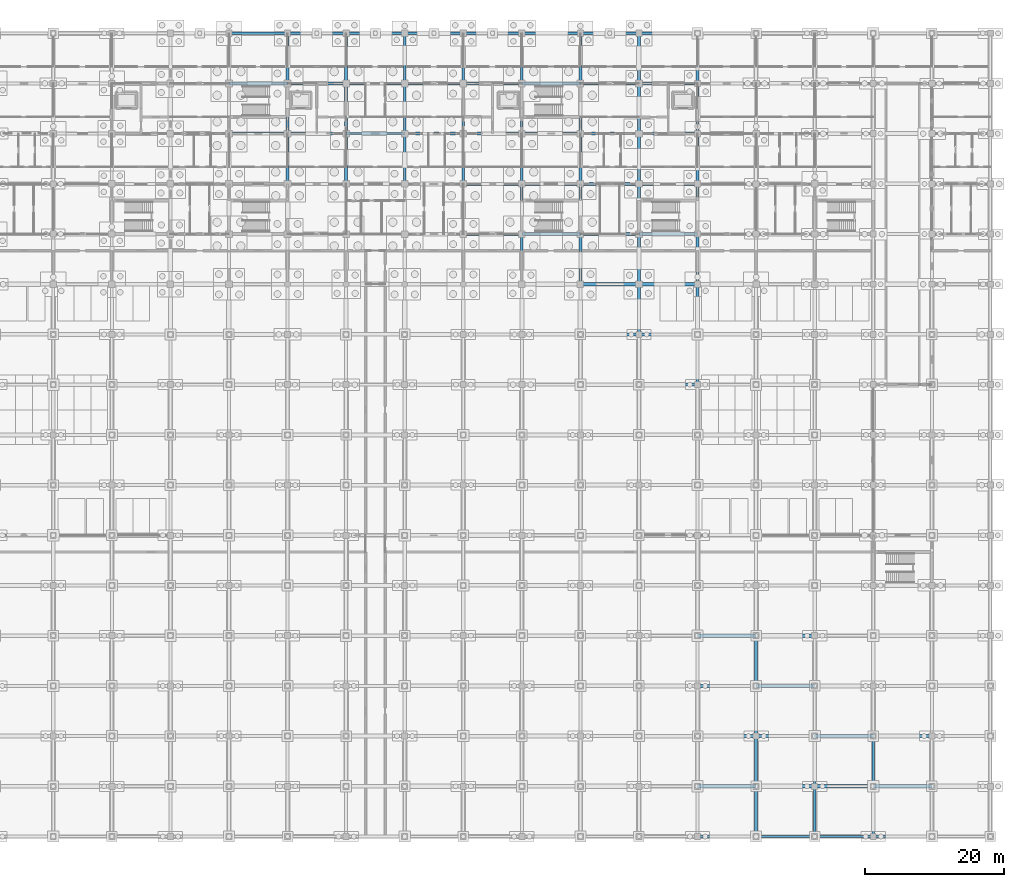
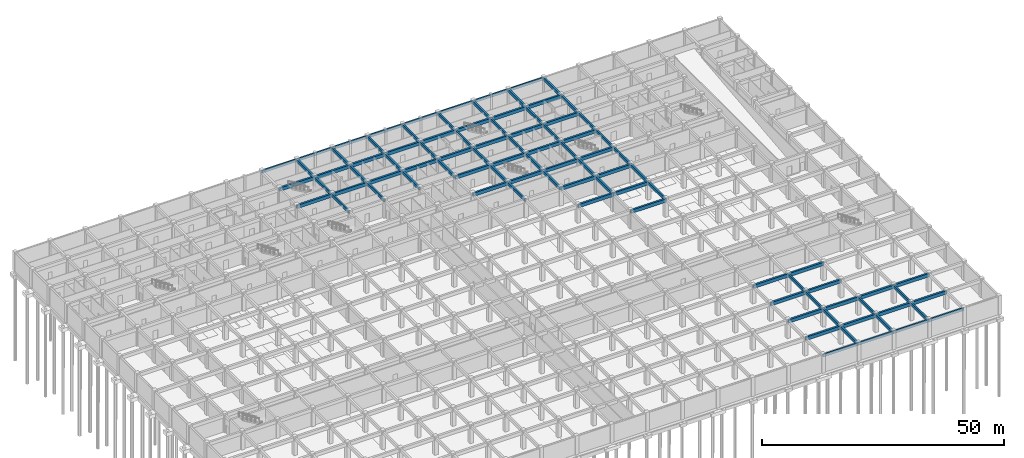
# One storey, part 23 of 85: 96 beams.
"""IFC4 building model written with IfcOpenShell, lengths in metres."""

from ifc_helpers import new_model, si_unit, direction, frame, origin, origin_2d, place, context, subcontext, project, spatial, rectangle, extrude, material, material_profile, profile_set, type_object, element, save


model = new_model("IFC4")

# Units and contexts
model_context = context("Model", 3, precision=1e-05, world=origin(), true_north=direction((0.0, 1.0)))
body_context = subcontext(model_context, "Body", "Model", "MODEL_VIEW")
ifc_project = project(units=[si_unit("LENGTHUNIT", "METRE"), si_unit("AREAUNIT", "SQUARE_METRE"), si_unit("VOLUMEUNIT", "CUBIC_METRE"), si_unit("PLANEANGLEUNIT", "RADIAN"), si_unit("MASSUNIT", "GRAM", prefix="KILO")], contexts=[model_context])

# Site, building, storey
site_placement = place(None, origin())
site = spatial("IfcSite", under=ifc_project, at=site_placement, CompositionType="ELEMENT")
building_placement = place(site_placement, origin())
building = spatial("IfcBuilding", under=site, at=building_placement, Name="Chengyuan Square Courthouse", CompositionType="ELEMENT")
storey_placement = place(building_placement, frame((0.0, 0.0, -10.199951171875)))
storey = spatial("IfcBuildingStorey", under=building, at=storey_placement, Name="B02", CompositionType="ELEMENT", Elevation=-10.199951171875)

# Beams
ifc_material = material(Name="Concrete C40", Category="concrete")
ifc_material_profile_1 = material_profile(ifc_material, rectangle(XDim=0.449951171875, YDim=0.85009765625, at=origin_2d()), Name="RC-BM-450x850")
ifc_profile_set_1 = profile_set([ifc_material_profile_1], Name="Concrete C40")
beam_type_1 = type_object("IfcBeamType", Name="BM-01", PredefinedType="USERDEFINED", material=ifc_profile_set_1)
beam_1_placement = place(storey_placement, frame((126.0, 7.199951171875, 4.054931640625), z_axis=(1.0, 0.0, 0.0), x_axis=(0.0, 1.0, 0.0)))
element("IfcBeam", 1, at=beam_1_placement, inside=storey, type_object=beam_type_1, Name="Girder BM-B02-0036", ObjectType="GIRDER", PredefinedType="USERDEFINED", context=body_context, shape_type="SweptSolid", body=[
    extrude(rectangle(XDim=0.449951171875, YDim=0.85009765625, at=origin_2d()), origin(), (0.0, 0.0, 1.0), 8.39990234375),
])
beam_2_placement = place(storey_placement, frame((134.39990234375, 7.199951171875, 4.054931640625), z_axis=(1.0, 0.0, 0.0), x_axis=(0.0, 1.0, 0.0)))
element("IfcBeam", 2, at=beam_2_placement, inside=storey, type_object=beam_type_1, Name="Girder BM-B02-0037", ObjectType="GIRDER", PredefinedType="USERDEFINED", context=body_context, shape_type="SweptSolid", body=[
    extrude(rectangle(XDim=0.449951171875, YDim=0.85009765625, at=origin_2d()), origin(), (0.0, 0.0, 1.0), 8.400146484375),
])
beam_3_placement = place(storey_placement, frame((142.800048828125, 7.199951171875, 4.054931640625), z_axis=(1.0, 0.0, 0.0), x_axis=(0.0, 1.0, 0.0)))
element("IfcBeam", 3, at=beam_3_placement, inside=storey, type_object=beam_type_1, Name="Girder BM-B02-0038", ObjectType="GIRDER", PredefinedType="USERDEFINED", context=body_context, shape_type="SweptSolid", body=[
    extrude(rectangle(XDim=0.449951171875, YDim=0.85009765625, at=origin_2d()), origin(), (0.0, 0.0, 1.0), 8.39990234375),
])
beam_4_placement = place(storey_placement, frame((151.199951171875, 7.199951171875, 4.054931640625), z_axis=(1.0, 0.0, 0.0), x_axis=(0.0, 1.0, 0.0)))
element("IfcBeam", 4, at=beam_4_placement, inside=storey, type_object=beam_type_1, Name="Girder BM-B02-0039", ObjectType="GIRDER", PredefinedType="USERDEFINED", context=body_context, shape_type="SweptSolid", body=[
    extrude(rectangle(XDim=0.449951171875, YDim=0.85009765625, at=origin_2d()), origin(), (0.0, 0.0, 1.0), 8.400146484375),
])
beam_5_placement = place(storey_placement, frame((126.0, 14.39990234375, 4.054931640625), z_axis=(1.0, 0.0, 0.0), x_axis=(0.0, 1.0, 0.0)))
element("IfcBeam", 5, at=beam_5_placement, inside=storey, type_object=beam_type_1, Name="Girder BM-B02-0056", ObjectType="GIRDER", PredefinedType="USERDEFINED", context=body_context, shape_type="SweptSolid", body=[
    extrude(rectangle(XDim=0.449951171875, YDim=0.85009765625, at=origin_2d()), origin(), (0.0, 0.0, 1.0), 8.39990234375),
])
beam_6_placement = place(storey_placement, frame((134.39990234375, 14.39990234375, 4.054931640625), z_axis=(1.0, 0.0, 0.0), x_axis=(0.0, 1.0, 0.0)))
element("IfcBeam", 6, at=beam_6_placement, inside=storey, type_object=beam_type_1, Name="Girder BM-B02-0057", ObjectType="GIRDER", PredefinedType="USERDEFINED", context=body_context, shape_type="SweptSolid", body=[
    extrude(rectangle(XDim=0.449951171875, YDim=0.85009765625, at=origin_2d()), origin(), (0.0, 0.0, 1.0), 8.400146484375),
])
beam_7_placement = place(storey_placement, frame((142.800048828125, 14.39990234375, 4.054931640625), z_axis=(1.0, 0.0, 0.0), x_axis=(0.0, 1.0, 0.0)))
element("IfcBeam", 7, at=beam_7_placement, inside=storey, type_object=beam_type_1, Name="Girder BM-B02-0058", ObjectType="GIRDER", PredefinedType="USERDEFINED", context=body_context, shape_type="SweptSolid", body=[
    extrude(rectangle(XDim=0.449951171875, YDim=0.85009765625, at=origin_2d()), origin(), (0.0, 0.0, 1.0), 8.39990234375),
])
beam_8_placement = place(storey_placement, frame((151.199951171875, 14.39990234375, 4.054931640625), z_axis=(1.0, 0.0, 0.0), x_axis=(0.0, 1.0, 0.0)))
element("IfcBeam", 8, at=beam_8_placement, inside=storey, type_object=beam_type_1, Name="Girder BM-B02-0059", ObjectType="GIRDER", PredefinedType="USERDEFINED", context=body_context, shape_type="SweptSolid", body=[
    extrude(rectangle(XDim=0.449951171875, YDim=0.85009765625, at=origin_2d()), origin(), (0.0, 0.0, 1.0), 8.400146484375),
])
beam_9_placement = place(storey_placement, frame((126.0, 21.60009765625, 4.054931640625), z_axis=(1.0, 0.0, 0.0), x_axis=(0.0, 1.0, 0.0)))
element("IfcBeam", 9, at=beam_9_placement, inside=storey, type_object=beam_type_1, Name="Girder BM-B02-0076", ObjectType="GIRDER", PredefinedType="USERDEFINED", context=body_context, shape_type="SweptSolid", body=[
    extrude(rectangle(XDim=0.449951171875, YDim=0.85009765625, at=origin_2d()), origin(), (0.0, 0.0, 1.0), 8.39990234375),
])
beam_10_placement = place(storey_placement, frame((134.39990234375, 21.60009765625, 4.054931640625), z_axis=(1.0, 0.0, 0.0), x_axis=(0.0, 1.0, 0.0)))
element("IfcBeam", 10, at=beam_10_placement, inside=storey, type_object=beam_type_1, Name="Girder BM-B02-0077", ObjectType="GIRDER", PredefinedType="USERDEFINED", context=body_context, shape_type="SweptSolid", body=[
    extrude(rectangle(XDim=0.449951171875, YDim=0.85009765625, at=origin_2d()), origin(), (0.0, 0.0, 1.0), 8.400146484375),
])
beam_11_placement = place(storey_placement, frame((126.0, 28.800048828125, 4.054931640625), z_axis=(1.0, 0.0, 0.0), x_axis=(0.0, 1.0, 0.0)))
element("IfcBeam", 11, at=beam_11_placement, inside=storey, type_object=beam_type_1, Name="Girder BM-B02-0096", ObjectType="GIRDER", PredefinedType="USERDEFINED", context=body_context, shape_type="SweptSolid", body=[
    extrude(rectangle(XDim=0.449951171875, YDim=0.85009765625, at=origin_2d()), origin(), (0.0, 0.0, 1.0), 8.39990234375),
])
beam_12_placement = place(storey_placement, frame((134.39990234375, 28.800048828125, 4.054931640625), z_axis=(1.0, 0.0, 0.0), x_axis=(0.0, 1.0, 0.0)))
element("IfcBeam", 12, at=beam_12_placement, inside=storey, type_object=beam_type_1, Name="Girder BM-B02-0097", ObjectType="GIRDER", PredefinedType="USERDEFINED", context=body_context, shape_type="SweptSolid", body=[
    extrude(rectangle(XDim=0.449951171875, YDim=0.85009765625, at=origin_2d()), origin(), (0.0, 0.0, 1.0), 8.400146484375),
])
beam_13_placement = place(storey_placement, frame((117.60009765625, 64.800048828125, 4.054931640625), z_axis=(1.0, 0.0, 0.0), x_axis=(0.0, 1.0, 0.0)))
element("IfcBeam", 13, at=beam_13_placement, inside=storey, type_object=beam_type_1, Name="Girder BM-B02-0195", ObjectType="GIRDER", PredefinedType="USERDEFINED", context=body_context, shape_type="SweptSolid", body=[
    extrude(rectangle(XDim=0.449951171875, YDim=0.85009765625, at=origin_2d()), origin(), (0.0, 0.0, 1.0), 8.39990234375),
])
beam_14_placement = place(storey_placement, frame((109.199951171875, 72.0, 4.054931640625), z_axis=(1.0, 0.0, 0.0), x_axis=(0.0, 1.0, 0.0)))
element("IfcBeam", 14, at=beam_14_placement, inside=storey, type_object=beam_type_1, Name="Girder BM-B02-0214", ObjectType="GIRDER", PredefinedType="USERDEFINED", context=body_context, shape_type="SweptSolid", body=[
    extrude(rectangle(XDim=0.449951171875, YDim=0.85009765625, at=origin_2d()), origin(), (0.0, 0.0, 1.0), 8.400146484375),
])
beam_15_placement = place(storey_placement, frame((117.60009765625, 72.0, 4.054931640625), z_axis=(1.0, 0.0, 0.0), x_axis=(0.0, 1.0, 0.0)))
element("IfcBeam", 15, at=beam_15_placement, inside=storey, type_object=beam_type_1, Name="Girder BM-B02-0215", ObjectType="GIRDER", PredefinedType="USERDEFINED", context=body_context, shape_type="SweptSolid", body=[
    extrude(rectangle(XDim=0.449951171875, YDim=0.85009765625, at=origin_2d()), origin(), (0.0, 0.0, 1.0), 8.39990234375),
])
beam_16_placement = place(storey_placement, frame((109.199951171875, 79.199951171875, 4.054931640625), z_axis=(1.0, 0.0, 0.0), x_axis=(0.0, 1.0, 0.0)))
element("IfcBeam", 16, at=beam_16_placement, inside=storey, type_object=beam_type_1, Name="Girder BM-B02-0233", ObjectType="GIRDER", PredefinedType="USERDEFINED", context=body_context, shape_type="SweptSolid", body=[
    extrude(rectangle(XDim=0.449951171875, YDim=0.85009765625, at=origin_2d()), origin(), (0.0, 0.0, 1.0), 8.400146484375),
])
beam_17_placement = place(storey_placement, frame((117.60009765625, 79.199951171875, 4.054931640625), z_axis=(1.0, 0.0, 0.0), x_axis=(0.0, 1.0, 0.0)))
element("IfcBeam", 17, at=beam_17_placement, inside=storey, type_object=beam_type_1, Name="Girder BM-B02-0234", ObjectType="GIRDER", PredefinedType="USERDEFINED", context=body_context, shape_type="SweptSolid", body=[
    extrude(rectangle(XDim=0.449951171875, YDim=0.85009765625, at=origin_2d()), origin(), (0.0, 0.0, 1.0), 8.39990234375),
])
beam_18_placement = place(storey_placement, frame((92.39990234375, 86.39990234375, 4.054931640625), z_axis=(1.0, 0.0, 0.0), x_axis=(0.0, 1.0, 0.0)))
element("IfcBeam", 18, at=beam_18_placement, inside=storey, type_object=beam_type_1, Name="Girder BM-B02-0250", ObjectType="GIRDER", PredefinedType="USERDEFINED", context=body_context, shape_type="SweptSolid", body=[
    extrude(rectangle(XDim=0.449951171875, YDim=0.85009765625, at=origin_2d()), origin(), (0.0, 0.0, 1.0), 8.400146484375),
])
beam_19_placement = place(storey_placement, frame((100.800048828125, 86.39990234375, 4.054931640625), z_axis=(1.0, 0.0, 0.0), x_axis=(0.0, 1.0, 0.0)))
element("IfcBeam", 19, at=beam_19_placement, inside=storey, type_object=beam_type_1, Name="Girder BM-B02-0251", ObjectType="GIRDER", PredefinedType="USERDEFINED", context=body_context, shape_type="SweptSolid", body=[
    extrude(rectangle(XDim=0.449951171875, YDim=0.85009765625, at=origin_2d()), origin(), (0.0, 0.0, 1.0), 8.39990234375),
])
beam_20_placement = place(storey_placement, frame((109.199951171875, 86.39990234375, 4.054931640625), z_axis=(1.0, 0.0, 0.0), x_axis=(0.0, 1.0, 0.0)))
element("IfcBeam", 20, at=beam_20_placement, inside=storey, type_object=beam_type_1, Name="Girder BM-B02-0252", ObjectType="GIRDER", PredefinedType="USERDEFINED", context=body_context, shape_type="SweptSolid", body=[
    extrude(rectangle(XDim=0.449951171875, YDim=0.85009765625, at=origin_2d()), origin(), (0.0, 0.0, 1.0), 8.400146484375),
])
beam_21_placement = place(storey_placement, frame((117.60009765625, 86.39990234375, 4.054931640625), z_axis=(1.0, 0.0, 0.0), x_axis=(0.0, 1.0, 0.0)))
element("IfcBeam", 21, at=beam_21_placement, inside=storey, type_object=beam_type_1, Name="Girder BM-B02-0253", ObjectType="GIRDER", PredefinedType="USERDEFINED", context=body_context, shape_type="SweptSolid", body=[
    extrude(rectangle(XDim=0.449951171875, YDim=0.85009765625, at=origin_2d()), origin(), (0.0, 0.0, 1.0), 8.39990234375),
])
beam_22_placement = place(storey_placement, frame((92.39990234375, 93.60009765625, 4.054931640625), z_axis=(1.0, 0.0, 0.0), x_axis=(0.0, 1.0, 0.0)))
element("IfcBeam", 22, at=beam_22_placement, inside=storey, type_object=beam_type_1, Name="Girder BM-B02-0269", ObjectType="GIRDER", PredefinedType="USERDEFINED", context=body_context, shape_type="SweptSolid", body=[
    extrude(rectangle(XDim=0.449951171875, YDim=0.85009765625, at=origin_2d()), origin(), (0.0, 0.0, 1.0), 8.400146484375),
])
beam_23_placement = place(storey_placement, frame((100.800048828125, 93.60009765625, 4.054931640625), z_axis=(1.0, 0.0, 0.0), x_axis=(0.0, 1.0, 0.0)))
element("IfcBeam", 23, at=beam_23_placement, inside=storey, type_object=beam_type_1, Name="Girder BM-B02-0270", ObjectType="GIRDER", PredefinedType="USERDEFINED", context=body_context, shape_type="SweptSolid", body=[
    extrude(rectangle(XDim=0.449951171875, YDim=0.85009765625, at=origin_2d()), origin(), (0.0, 0.0, 1.0), 8.39990234375),
])
beam_24_placement = place(storey_placement, frame((109.199951171875, 93.60009765625, 4.054931640625), z_axis=(1.0, 0.0, 0.0), x_axis=(0.0, 1.0, 0.0)))
element("IfcBeam", 24, at=beam_24_placement, inside=storey, type_object=beam_type_1, Name="Girder BM-B02-0271", ObjectType="GIRDER", PredefinedType="USERDEFINED", context=body_context, shape_type="SweptSolid", body=[
    extrude(rectangle(XDim=0.449951171875, YDim=0.85009765625, at=origin_2d()), origin(), (0.0, 0.0, 1.0), 8.400146484375),
])
for number, where, z_axis, x_axis, name in (
    (25, (117.60009765625, 93.60009765625, 4.054931640625), (1.0, 0.0, 0.0), (0.0, 1.0, 0.0), "Girder BM-B02-0272"),
    (26, (58.800048828125, 100.800048828125, 4.054931640625), (1.0, 0.0, 0.0), (0.0, 1.0, 0.0), "Girder BM-B02-0284"),
):
    element("IfcBeam", number, at=place(storey_placement, frame(where, z_axis=z_axis, x_axis=x_axis)), inside=storey, type_object=beam_type_1, Name=name, ObjectType="GIRDER", PredefinedType="USERDEFINED", context=body_context, shape_type="SweptSolid", body=[
        extrude(rectangle(XDim=0.449951171875, YDim=0.85009765625, at=origin_2d()), origin(), (0.0, 0.0, 1.0), 8.39990234375),
    ])
beam_25_placement = place(storey_placement, frame((67.199951171875, 100.800048828125, 4.054931640625), z_axis=(1.0, 0.0, 0.0), x_axis=(0.0, 1.0, 0.0)))
element("IfcBeam", 27, at=beam_25_placement, inside=storey, type_object=beam_type_1, Name="Girder BM-B02-0285", ObjectType="GIRDER", PredefinedType="USERDEFINED", context=body_context, shape_type="SweptSolid", body=[
    extrude(rectangle(XDim=0.449951171875, YDim=0.85009765625, at=origin_2d()), origin(), (0.0, 0.0, 1.0), 8.400146484375),
])
for number, where, z_axis, x_axis, name in (
    (28, (75.60009765625, 100.800048828125, 4.054931640625), (1.0, 0.0, 0.0), (0.0, 1.0, 0.0), "Girder BM-B02-0286"),
    (29, (84.0, 100.800048828125, 4.054931640625), (1.0, 0.0, 0.0), (0.0, 1.0, 0.0), "Girder BM-B02-0287"),
):
    element("IfcBeam", number, at=place(storey_placement, frame(where, z_axis=z_axis, x_axis=x_axis)), inside=storey, type_object=beam_type_1, Name=name, ObjectType="GIRDER", PredefinedType="USERDEFINED", context=body_context, shape_type="SweptSolid", body=[
        extrude(rectangle(XDim=0.449951171875, YDim=0.85009765625, at=origin_2d()), origin(), (0.0, 0.0, 1.0), 8.39990234375),
    ])
beam_26_placement = place(storey_placement, frame((92.39990234375, 100.800048828125, 4.054931640625), z_axis=(1.0, 0.0, 0.0), x_axis=(0.0, 1.0, 0.0)))
element("IfcBeam", 30, at=beam_26_placement, inside=storey, type_object=beam_type_1, Name="Girder BM-B02-0288", ObjectType="GIRDER", PredefinedType="USERDEFINED", context=body_context, shape_type="SweptSolid", body=[
    extrude(rectangle(XDim=0.449951171875, YDim=0.85009765625, at=origin_2d()), origin(), (0.0, 0.0, 1.0), 8.400146484375),
])
beam_27_placement = place(storey_placement, frame((100.800048828125, 100.800048828125, 4.054931640625), z_axis=(1.0, 0.0, 0.0), x_axis=(0.0, 1.0, 0.0)))
element("IfcBeam", 31, at=beam_27_placement, inside=storey, type_object=beam_type_1, Name="Girder BM-B02-0289", ObjectType="GIRDER", PredefinedType="USERDEFINED", context=body_context, shape_type="SweptSolid", body=[
    extrude(rectangle(XDim=0.449951171875, YDim=0.85009765625, at=origin_2d()), origin(), (0.0, 0.0, 1.0), 8.39990234375),
])
beam_28_placement = place(storey_placement, frame((109.199951171875, 100.800048828125, 4.054931640625), z_axis=(1.0, 0.0, 0.0), x_axis=(0.0, 1.0, 0.0)))
element("IfcBeam", 32, at=beam_28_placement, inside=storey, type_object=beam_type_1, Name="Girder BM-B02-0290", ObjectType="GIRDER", PredefinedType="USERDEFINED", context=body_context, shape_type="SweptSolid", body=[
    extrude(rectangle(XDim=0.449951171875, YDim=0.85009765625, at=origin_2d()), origin(), (0.0, 0.0, 1.0), 8.400146484375),
])
for number, where, z_axis, x_axis, name in (
    (33, (117.60009765625, 100.800048828125, 4.054931640625), (1.0, 0.0, 0.0), (0.0, 1.0, 0.0), "Girder BM-B02-0291"),
    (34, (58.800048828125, 108.0, 4.054931640625), (1.0, 0.0, 0.0), (0.0, 1.0, 0.0), "Girder BM-B02-0303"),
):
    element("IfcBeam", number, at=place(storey_placement, frame(where, z_axis=z_axis, x_axis=x_axis)), inside=storey, type_object=beam_type_1, Name=name, ObjectType="GIRDER", PredefinedType="USERDEFINED", context=body_context, shape_type="SweptSolid", body=[
        extrude(rectangle(XDim=0.449951171875, YDim=0.85009765625, at=origin_2d()), origin(), (0.0, 0.0, 1.0), 8.39990234375),
    ])
beam_29_placement = place(storey_placement, frame((67.199951171875, 108.0, 4.054931640625), z_axis=(1.0, 0.0, 0.0), x_axis=(0.0, 1.0, 0.0)))
element("IfcBeam", 35, at=beam_29_placement, inside=storey, type_object=beam_type_1, Name="Girder BM-B02-0304", ObjectType="GIRDER", PredefinedType="USERDEFINED", context=body_context, shape_type="SweptSolid", body=[
    extrude(rectangle(XDim=0.449951171875, YDim=0.85009765625, at=origin_2d()), origin(), (0.0, 0.0, 1.0), 8.400146484375),
])
for number, where, z_axis, x_axis, name in (
    (36, (75.60009765625, 108.0, 4.054931640625), (1.0, 0.0, 0.0), (0.0, 1.0, 0.0), "Girder BM-B02-0305"),
    (37, (84.0, 108.0, 4.054931640625), (1.0, 0.0, 0.0), (0.0, 1.0, 0.0), "Girder BM-B02-0306"),
):
    element("IfcBeam", number, at=place(storey_placement, frame(where, z_axis=z_axis, x_axis=x_axis)), inside=storey, type_object=beam_type_1, Name=name, ObjectType="GIRDER", PredefinedType="USERDEFINED", context=body_context, shape_type="SweptSolid", body=[
        extrude(rectangle(XDim=0.449951171875, YDim=0.85009765625, at=origin_2d()), origin(), (0.0, 0.0, 1.0), 8.39990234375),
    ])
beam_30_placement = place(storey_placement, frame((92.39990234375, 108.0, 4.054931640625), z_axis=(1.0, 0.0, 0.0), x_axis=(0.0, 1.0, 0.0)))
element("IfcBeam", 38, at=beam_30_placement, inside=storey, type_object=beam_type_1, Name="Girder BM-B02-0307", ObjectType="GIRDER", PredefinedType="USERDEFINED", context=body_context, shape_type="SweptSolid", body=[
    extrude(rectangle(XDim=0.449951171875, YDim=0.85009765625, at=origin_2d()), origin(), (0.0, 0.0, 1.0), 8.400146484375),
])
beam_31_placement = place(storey_placement, frame((100.800048828125, 108.0, 4.054931640625), z_axis=(1.0, 0.0, 0.0), x_axis=(0.0, 1.0, 0.0)))
element("IfcBeam", 39, at=beam_31_placement, inside=storey, type_object=beam_type_1, Name="Girder BM-B02-0308", ObjectType="GIRDER", PredefinedType="USERDEFINED", context=body_context, shape_type="SweptSolid", body=[
    extrude(rectangle(XDim=0.449951171875, YDim=0.85009765625, at=origin_2d()), origin(), (0.0, 0.0, 1.0), 8.39990234375),
])
beam_32_placement = place(storey_placement, frame((109.199951171875, 108.0, 4.054931640625), z_axis=(1.0, 0.0, 0.0), x_axis=(0.0, 1.0, 0.0)))
element("IfcBeam", 40, at=beam_32_placement, inside=storey, type_object=beam_type_1, Name="Girder BM-B02-0309", ObjectType="GIRDER", PredefinedType="USERDEFINED", context=body_context, shape_type="SweptSolid", body=[
    extrude(rectangle(XDim=0.449951171875, YDim=0.85009765625, at=origin_2d()), origin(), (0.0, 0.0, 1.0), 8.400146484375),
])
beam_33_placement = place(storey_placement, frame((117.60009765625, 108.0, 4.054931640625), z_axis=(1.0, 0.0, 0.0), x_axis=(0.0, 1.0, 0.0)))
element("IfcBeam", 41, at=beam_33_placement, inside=storey, type_object=beam_type_1, Name="Girder BM-B02-0310", ObjectType="GIRDER", PredefinedType="USERDEFINED", context=body_context, shape_type="SweptSolid", body=[
    extrude(rectangle(XDim=0.449951171875, YDim=0.85009765625, at=origin_2d()), origin(), (0.0, 0.0, 1.0), 8.39990234375),
])
ifc_material_profile_2 = material_profile(ifc_material, rectangle(XDim=0.39990234375, YDim=0.75, at=origin_2d()), Name="RC-BM-400x750")
ifc_profile_set_2 = profile_set([ifc_material_profile_2], Name="Concrete C40")
beam_type_2 = type_object("IfcBeamType", Name="BM-02", PredefinedType="USERDEFINED", material=ifc_profile_set_2)
for number, where, z_axis, x_axis, name in (
    (42, (67.199951171875, 93.60009765625, 4.10498046875), (0.0, 1.0, 0.0), (-1.0, 0.0, 0.0), "Girder BM-B02-0477"),
    (43, (67.199951171875, 100.800048828125, 4.10498046875), (0.0, 1.0, 0.0), (-1.0, 0.0, 0.0), "Girder BM-B02-0478"),
    (44, (67.199951171875, 108.0, 4.10498046875), (0.0, 1.0, 0.0), (-1.0, 0.0, 0.0), "Girder BM-B02-0479"),
    (45, (75.60009765625, 93.60009765625, 4.10498046875), (0.0, 1.0, 0.0), (-1.0, 0.0, 0.0), "Girder BM-B02-0493"),
    (46, (75.60009765625, 100.800048828125, 4.10498046875), (0.0, 1.0, 0.0), (-1.0, 0.0, 0.0), "Girder BM-B02-0494"),
    (47, (75.60009765625, 108.0, 4.10498046875), (0.0, 1.0, 0.0), (-1.0, 0.0, 0.0), "Girder BM-B02-0495"),
    (48, (84.0, 93.60009765625, 4.10498046875), (0.0, 1.0, 0.0), (-1.0, 0.0, 0.0), "Girder BM-B02-0509"),
    (49, (84.0, 100.800048828125, 4.10498046875), (0.0, 1.0, 0.0), (-1.0, 0.0, 0.0), "Girder BM-B02-0510"),
    (50, (84.0, 108.0, 4.10498046875), (0.0, 1.0, 0.0), (-1.0, 0.0, 0.0), "Girder BM-B02-0511"),
    (51, (92.39990234375, 93.60009765625, 4.10498046875), (0.0, 1.0, 0.0), (-1.0, 0.0, 0.0), "Girder BM-B02-0525"),
    (52, (92.39990234375, 100.800048828125, 4.10498046875), (0.0, 1.0, 0.0), (-1.0, 0.0, 0.0), "Girder BM-B02-0526"),
    (53, (92.39990234375, 108.0, 4.10498046875), (0.0, 1.0, 0.0), (-1.0, 0.0, 0.0), "Girder BM-B02-0527"),
    (54, (100.800048828125, 79.199951171875, 4.10498046875), (0.0, 1.0, 0.0), (-1.0, 0.0, 0.0), "Girder BM-B02-0539"),
):
    element("IfcBeam", number, at=place(storey_placement, frame(where, z_axis=z_axis, x_axis=x_axis)), inside=storey, type_object=beam_type_2, Name=name, ObjectType="GIRDER", PredefinedType="USERDEFINED", context=body_context, shape_type="SweptSolid", body=[
        extrude(rectangle(XDim=0.39990234375, YDim=0.75, at=origin_2d()), origin(), (0.0, 0.0, 1.0), 7.199951171875),
    ])
beam_34_placement = place(storey_placement, frame((100.800048828125, 86.39990234375, 4.10498046875), z_axis=(0.0, 1.0, 0.0), x_axis=(-1.0, 0.0, 0.0)))
element("IfcBeam", 55, at=beam_34_placement, inside=storey, type_object=beam_type_2, Name="Girder BM-B02-0540", ObjectType="GIRDER", PredefinedType="USERDEFINED", context=body_context, shape_type="SweptSolid", body=[
    extrude(rectangle(XDim=0.39990234375, YDim=0.75, at=origin_2d()), origin(), (0.0, 0.0, 1.0), 7.2001953125),
])
for number, where, z_axis, x_axis, name in (
    (56, (100.800048828125, 93.60009765625, 4.10498046875), (0.0, 1.0, 0.0), (-1.0, 0.0, 0.0), "Girder BM-B02-0541"),
    (57, (100.800048828125, 100.800048828125, 4.10498046875), (0.0, 1.0, 0.0), (-1.0, 0.0, 0.0), "Girder BM-B02-0542"),
    (58, (100.800048828125, 108.0, 4.10498046875), (0.0, 1.0, 0.0), (-1.0, 0.0, 0.0), "Girder BM-B02-0543"),
    (59, (109.199951171875, 79.199951171875, 4.10498046875), (0.0, 1.0, 0.0), (-1.0, 0.0, 0.0), "Girder BM-B02-0555"),
):
    element("IfcBeam", number, at=place(storey_placement, frame(where, z_axis=z_axis, x_axis=x_axis)), inside=storey, type_object=beam_type_2, Name=name, ObjectType="GIRDER", PredefinedType="USERDEFINED", context=body_context, shape_type="SweptSolid", body=[
        extrude(rectangle(XDim=0.39990234375, YDim=0.75, at=origin_2d()), origin(), (0.0, 0.0, 1.0), 7.199951171875),
    ])
beam_35_placement = place(storey_placement, frame((109.199951171875, 86.39990234375, 4.10498046875), z_axis=(0.0, 1.0, 0.0), x_axis=(-1.0, 0.0, 0.0)))
element("IfcBeam", 60, at=beam_35_placement, inside=storey, type_object=beam_type_2, Name="Girder BM-B02-0556", ObjectType="GIRDER", PredefinedType="USERDEFINED", context=body_context, shape_type="SweptSolid", body=[
    extrude(rectangle(XDim=0.39990234375, YDim=0.75, at=origin_2d()), origin(), (0.0, 0.0, 1.0), 7.2001953125),
])
for number, where, z_axis, x_axis, name in (
    (61, (109.199951171875, 93.60009765625, 4.10498046875), (0.0, 1.0, 0.0), (-1.0, 0.0, 0.0), "Girder BM-B02-0557"),
    (62, (109.199951171875, 100.800048828125, 4.10498046875), (0.0, 1.0, 0.0), (-1.0, 0.0, 0.0), "Girder BM-B02-0558"),
    (63, (109.199951171875, 108.0, 4.10498046875), (0.0, 1.0, 0.0), (-1.0, 0.0, 0.0), "Girder BM-B02-0559"),
    (64, (117.60009765625, 72.0, 4.10498046875), (0.0, 1.0, 0.0), (-1.0, 0.0, 0.0), "Girder BM-B02-0570"),
    (65, (117.60009765625, 79.199951171875, 4.10498046875), (0.0, 1.0, 0.0), (-1.0, 0.0, 0.0), "Girder BM-B02-0571"),
):
    element("IfcBeam", number, at=place(storey_placement, frame(where, z_axis=z_axis, x_axis=x_axis)), inside=storey, type_object=beam_type_2, Name=name, ObjectType="GIRDER", PredefinedType="USERDEFINED", context=body_context, shape_type="SweptSolid", body=[
        extrude(rectangle(XDim=0.39990234375, YDim=0.75, at=origin_2d()), origin(), (0.0, 0.0, 1.0), 7.199951171875),
    ])
beam_36_placement = place(storey_placement, frame((117.60009765625, 86.39990234375, 4.10498046875), z_axis=(0.0, 1.0, 0.0), x_axis=(-1.0, 0.0, 0.0)))
element("IfcBeam", 66, at=beam_36_placement, inside=storey, type_object=beam_type_2, Name="Girder BM-B02-0572", ObjectType="GIRDER", PredefinedType="USERDEFINED", context=body_context, shape_type="SweptSolid", body=[
    extrude(rectangle(XDim=0.39990234375, YDim=0.75, at=origin_2d()), origin(), (0.0, 0.0, 1.0), 7.2001953125),
])
for number, where, z_axis, x_axis, name in (
    (67, (117.60009765625, 93.60009765625, 4.10498046875), (0.0, 1.0, 0.0), (-1.0, 0.0, 0.0), "Girder BM-B02-0573"),
    (68, (117.60009765625, 100.800048828125, 4.10498046875), (0.0, 1.0, 0.0), (-1.0, 0.0, 0.0), "Girder BM-B02-0574"),
    (69, (117.60009765625, 108.0, 4.10498046875), (0.0, 1.0, 0.0), (-1.0, 0.0, 0.0), "Girder BM-B02-0575"),
    (70, (126.0, 64.800048828125, 4.10498046875), (0.0, 1.0, 0.0), (-1.0, 0.0, 0.0), "Girder BM-B02-0585"),
    (71, (126.0, 72.0, 4.10498046875), (0.0, 1.0, 0.0), (-1.0, 0.0, 0.0), "Girder BM-B02-0586"),
    (72, (126.0, 79.199951171875, 4.10498046875), (0.0, 1.0, 0.0), (-1.0, 0.0, 0.0), "Girder BM-B02-0587"),
):
    element("IfcBeam", number, at=place(storey_placement, frame(where, z_axis=z_axis, x_axis=x_axis)), inside=storey, type_object=beam_type_2, Name=name, ObjectType="GIRDER", PredefinedType="USERDEFINED", context=body_context, shape_type="SweptSolid", body=[
        extrude(rectangle(XDim=0.39990234375, YDim=0.75, at=origin_2d()), origin(), (0.0, 0.0, 1.0), 7.199951171875),
    ])
beam_37_placement = place(storey_placement, frame((126.0, 86.39990234375, 4.10498046875), z_axis=(0.0, 1.0, 0.0), x_axis=(-1.0, 0.0, 0.0)))
element("IfcBeam", 73, at=beam_37_placement, inside=storey, type_object=beam_type_2, Name="Girder BM-B02-0588", ObjectType="GIRDER", PredefinedType="USERDEFINED", context=body_context, shape_type="SweptSolid", body=[
    extrude(rectangle(XDim=0.39990234375, YDim=0.75, at=origin_2d()), origin(), (0.0, 0.0, 1.0), 7.2001953125),
])
for number, where, z_axis, x_axis, name in (
    (74, (126.0, 93.60009765625, 4.10498046875), (0.0, 1.0, 0.0), (-1.0, 0.0, 0.0), "Girder BM-B02-0589"),
    (75, (126.0, 100.800048828125, 4.10498046875), (0.0, 1.0, 0.0), (-1.0, 0.0, 0.0), "Girder BM-B02-0590"),
    (76, (126.0, 108.0, 4.10498046875), (0.0, 1.0, 0.0), (-1.0, 0.0, 0.0), "Girder BM-B02-0591"),
    (77, (134.39990234375, 0.0, 4.10498046875), (0.0, 1.0, 0.0), (-1.0, 0.0, 0.0), "Girder BM-B02-0592"),
    (78, (134.39990234375, 7.199951171875, 4.10498046875), (0.0, 1.0, 0.0), (-1.0, 0.0, 0.0), "Girder BM-B02-0593"),
):
    element("IfcBeam", number, at=place(storey_placement, frame(where, z_axis=z_axis, x_axis=x_axis)), inside=storey, type_object=beam_type_2, Name=name, ObjectType="GIRDER", PredefinedType="USERDEFINED", context=body_context, shape_type="SweptSolid", body=[
        extrude(rectangle(XDim=0.39990234375, YDim=0.75, at=origin_2d()), origin(), (0.0, 0.0, 1.0), 7.199951171875),
    ])
beam_38_placement = place(storey_placement, frame((134.39990234375, 14.39990234375, 4.10498046875), z_axis=(0.0, 1.0, 0.0), x_axis=(-1.0, 0.0, 0.0)))
element("IfcBeam", 79, at=beam_38_placement, inside=storey, type_object=beam_type_2, Name="Girder BM-B02-0594", ObjectType="GIRDER", PredefinedType="USERDEFINED", context=body_context, shape_type="SweptSolid", body=[
    extrude(rectangle(XDim=0.39990234375, YDim=0.75, at=origin_2d()), origin(), (0.0, 0.0, 1.0), 7.2001953125),
])
for number, where, z_axis, x_axis, name in (
    (80, (134.39990234375, 21.60009765625, 4.10498046875), (0.0, 1.0, 0.0), (-1.0, 0.0, 0.0), "Girder BM-B02-0595"),
    (81, (142.800048828125, 0.0, 4.10498046875), (0.0, 1.0, 0.0), (-1.0, 0.0, 0.0), "Girder BM-B02-0608"),
    (82, (142.800048828125, 7.199951171875, 4.10498046875), (0.0, 1.0, 0.0), (-1.0, 0.0, 0.0), "Girder BM-B02-0609"),
    (83, (151.199951171875, 0.0, 4.10498046875), (0.0, 1.0, 0.0), (-1.0, 0.0, 0.0), "Girder BM-B02-0624"),
    (84, (151.199951171875, 7.199951171875, 4.10498046875), (0.0, 1.0, 0.0), (-1.0, 0.0, 0.0), "Girder BM-B02-0625"),
):
    element("IfcBeam", number, at=place(storey_placement, frame(where, z_axis=z_axis, x_axis=x_axis)), inside=storey, type_object=beam_type_2, Name=name, ObjectType="GIRDER", PredefinedType="USERDEFINED", context=body_context, shape_type="SweptSolid", body=[
        extrude(rectangle(XDim=0.39990234375, YDim=0.75, at=origin_2d()), origin(), (0.0, 0.0, 1.0), 7.199951171875),
    ])
ifc_material_profile_3 = material_profile(ifc_material, rectangle(XDim=0.35009765625, YDim=0.64990234375, at=origin_2d()), Name="RC-BM-350x650")
ifc_profile_set_3 = profile_set([ifc_material_profile_3], Name="Concrete C40")
beam_type_3 = type_object("IfcBeamType", Name="BM-03", PredefinedType="SPANDREL", material=ifc_profile_set_3)
beam_39_placement = place(storey_placement, frame((126.0, 0.0, 4.155029296875), z_axis=(1.0, 0.0, 0.0), x_axis=(0.0, 1.0, 0.0)))
element("IfcBeam", 85, at=beam_39_placement, inside=storey, type_object=beam_type_3, Name="Girder BM-B02-0016", PredefinedType="SPANDREL", context=body_context, shape_type="SweptSolid", body=[
    extrude(rectangle(XDim=0.35009765625, YDim=0.64990234375, at=origin_2d()), origin(), (0.0, 0.0, 1.0), 8.39990234375),
])
beam_40_placement = place(storey_placement, frame((134.39990234375, 0.0, 4.155029296875), z_axis=(1.0, 0.0, 0.0), x_axis=(0.0, 1.0, 0.0)))
element("IfcBeam", 86, at=beam_40_placement, inside=storey, type_object=beam_type_3, Name="Girder BM-B02-0017", PredefinedType="SPANDREL", context=body_context, shape_type="SweptSolid", body=[
    extrude(rectangle(XDim=0.35009765625, YDim=0.64990234375, at=origin_2d()), origin(), (0.0, 0.0, 1.0), 8.400146484375),
])
beam_41_placement = place(storey_placement, frame((142.800048828125, 0.0, 4.155029296875), z_axis=(1.0, 0.0, 0.0), x_axis=(0.0, 1.0, 0.0)))
element("IfcBeam", 87, at=beam_41_placement, inside=storey, type_object=beam_type_3, Name="Girder BM-B02-0018", PredefinedType="SPANDREL", context=body_context, shape_type="SweptSolid", body=[
    extrude(rectangle(XDim=0.35009765625, YDim=0.64990234375, at=origin_2d()), origin(), (0.0, 0.0, 1.0), 8.39990234375),
])
beam_42_placement = place(storey_placement, frame((151.199951171875, 0.0, 4.155029296875), z_axis=(1.0, 0.0, 0.0), x_axis=(0.0, 1.0, 0.0)))
element("IfcBeam", 88, at=beam_42_placement, inside=storey, type_object=beam_type_3, Name="Girder BM-B02-0019", PredefinedType="SPANDREL", context=body_context, shape_type="SweptSolid", body=[
    extrude(rectangle(XDim=0.35009765625, YDim=0.64990234375, at=origin_2d()), origin(), (0.0, 0.0, 1.0), 8.400146484375),
])
beam_43_placement = place(storey_placement, frame((58.800048828125, 115.199951171875, 4.155029296875), z_axis=(1.0, 0.0, 0.0), x_axis=(0.0, 1.0, 0.0)))
element("IfcBeam", 89, at=beam_43_placement, inside=storey, type_object=beam_type_3, Name="Girder BM-B02-0323", PredefinedType="SPANDREL", context=body_context, shape_type="SweptSolid", body=[
    extrude(rectangle(XDim=0.35009765625, YDim=0.64990234375, at=origin_2d()), origin(), (0.0, 0.0, 1.0), 8.39990234375),
])
beam_44_placement = place(storey_placement, frame((67.199951171875, 115.199951171875, 4.155029296875), z_axis=(1.0, 0.0, 0.0), x_axis=(0.0, 1.0, 0.0)))
element("IfcBeam", 90, at=beam_44_placement, inside=storey, type_object=beam_type_3, Name="Girder BM-B02-0324", PredefinedType="SPANDREL", context=body_context, shape_type="SweptSolid", body=[
    extrude(rectangle(XDim=0.35009765625, YDim=0.64990234375, at=origin_2d()), origin(), (0.0, 0.0, 1.0), 8.400146484375),
])
for number, where, z_axis, x_axis, name in (
    (91, (75.60009765625, 115.199951171875, 4.155029296875), (1.0, 0.0, 0.0), (0.0, 1.0, 0.0), "Girder BM-B02-0325"),
    (92, (84.0, 115.199951171875, 4.155029296875), (1.0, 0.0, 0.0), (0.0, 1.0, 0.0), "Girder BM-B02-0326"),
):
    element("IfcBeam", number, at=place(storey_placement, frame(where, z_axis=z_axis, x_axis=x_axis)), inside=storey, type_object=beam_type_3, Name=name, PredefinedType="SPANDREL", context=body_context, shape_type="SweptSolid", body=[
        extrude(rectangle(XDim=0.35009765625, YDim=0.64990234375, at=origin_2d()), origin(), (0.0, 0.0, 1.0), 8.39990234375),
    ])
beam_45_placement = place(storey_placement, frame((92.39990234375, 115.199951171875, 4.155029296875), z_axis=(1.0, 0.0, 0.0), x_axis=(0.0, 1.0, 0.0)))
element("IfcBeam", 93, at=beam_45_placement, inside=storey, type_object=beam_type_3, Name="Girder BM-B02-0327", PredefinedType="SPANDREL", context=body_context, shape_type="SweptSolid", body=[
    extrude(rectangle(XDim=0.35009765625, YDim=0.64990234375, at=origin_2d()), origin(), (0.0, 0.0, 1.0), 8.400146484375),
])
beam_46_placement = place(storey_placement, frame((100.800048828125, 115.199951171875, 4.155029296875), z_axis=(1.0, 0.0, 0.0), x_axis=(0.0, 1.0, 0.0)))
element("IfcBeam", 94, at=beam_46_placement, inside=storey, type_object=beam_type_3, Name="Girder BM-B02-0328", PredefinedType="SPANDREL", context=body_context, shape_type="SweptSolid", body=[
    extrude(rectangle(XDim=0.35009765625, YDim=0.64990234375, at=origin_2d()), origin(), (0.0, 0.0, 1.0), 8.39990234375),
])
beam_47_placement = place(storey_placement, frame((109.199951171875, 115.199951171875, 4.155029296875), z_axis=(1.0, 0.0, 0.0), x_axis=(0.0, 1.0, 0.0)))
element("IfcBeam", 95, at=beam_47_placement, inside=storey, type_object=beam_type_3, Name="Girder BM-B02-0329", PredefinedType="SPANDREL", context=body_context, shape_type="SweptSolid", body=[
    extrude(rectangle(XDim=0.35009765625, YDim=0.64990234375, at=origin_2d()), origin(), (0.0, 0.0, 1.0), 8.400146484375),
])
beam_48_placement = place(storey_placement, frame((117.60009765625, 115.199951171875, 4.155029296875), z_axis=(1.0, 0.0, 0.0), x_axis=(0.0, 1.0, 0.0)))
element("IfcBeam", 96, at=beam_48_placement, inside=storey, type_object=beam_type_3, Name="Girder BM-B02-0330", PredefinedType="SPANDREL", context=body_context, shape_type="SweptSolid", body=[
    extrude(rectangle(XDim=0.35009765625, YDim=0.64990234375, at=origin_2d()), origin(), (0.0, 0.0, 1.0), 8.39990234375),
])

save(model, "model.ifc")
